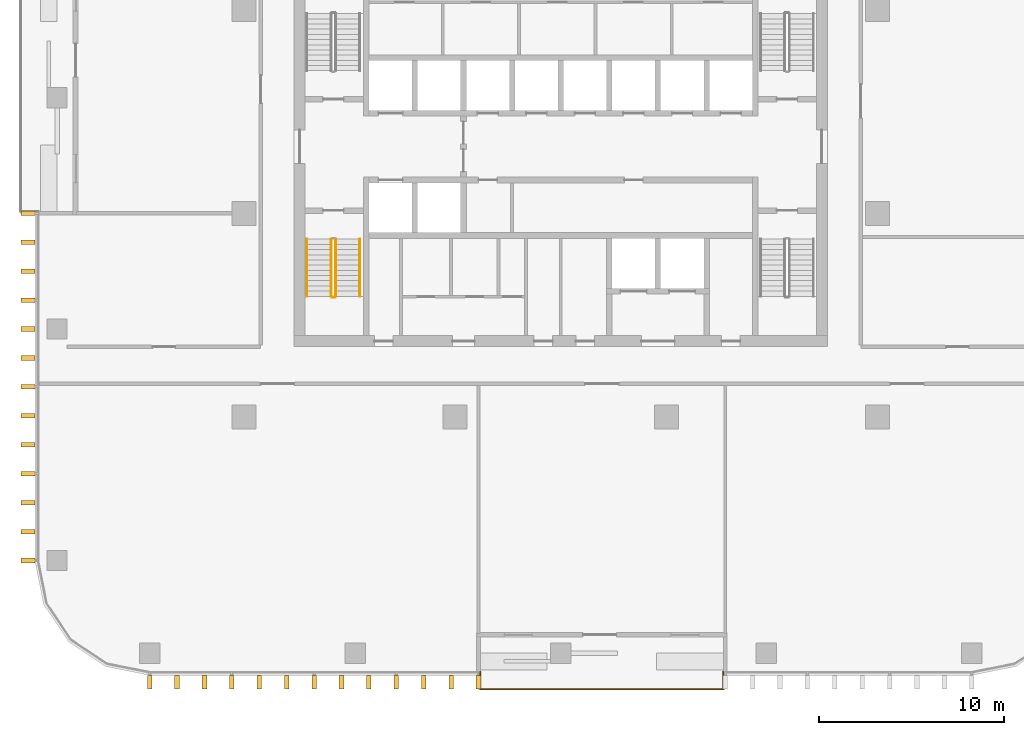
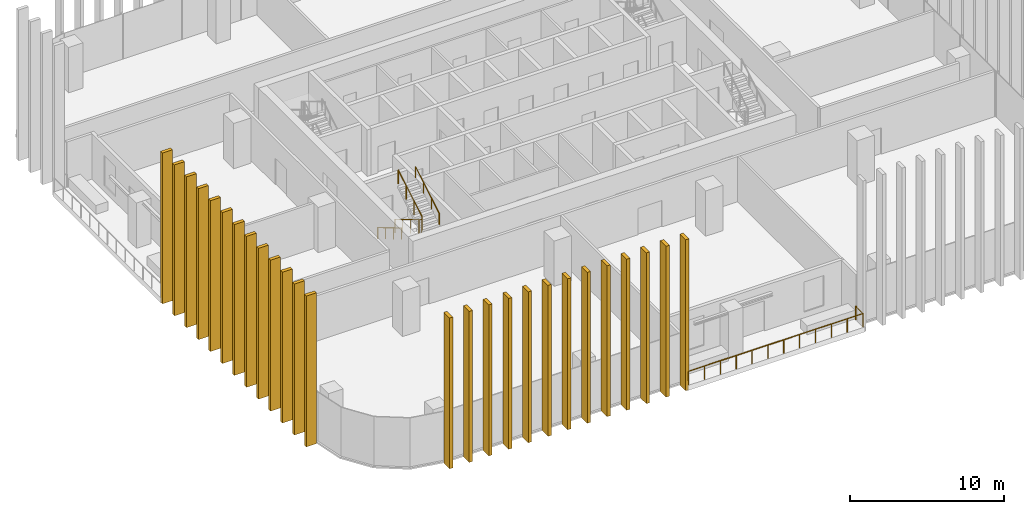
# One storey, part 11 of 16: 26 shading devices, 5 railings.
"""IFC4 building model written with IfcOpenShell, lengths in metres."""

from ifc_helpers import new_model, si_unit, direction, frame, origin, origin_2d, place, context, subcontext, project, spatial, rectangle, circle, extrude, material, type_object, element, save


model = new_model("IFC4")

# Units and contexts
model_context = context("Model", 3, precision=1e-05, world=origin(), true_north=direction((0.0, 1.0)))
body_context = subcontext(model_context, "Body", "Model", "MODEL_VIEW")
ifc_project = project(units=[si_unit("LENGTHUNIT", "METRE"), si_unit("AREAUNIT", "SQUARE_METRE"), si_unit("VOLUMEUNIT", "CUBIC_METRE"), si_unit("PLANEANGLEUNIT", "RADIAN"), si_unit("MASSUNIT", "GRAM", prefix="KILO")], contexts=[model_context])

# Site, building, storey
site_placement = place(None, origin())
site = spatial("IfcSite", under=ifc_project, at=site_placement, CompositionType="ELEMENT")
building_placement = place(site_placement, origin())
building = spatial("IfcBuilding", under=site, at=building_placement, Name="Mopane Tessera Tower", CompositionType="ELEMENT")
storey_placement = place(building_placement, frame((0.0, 0.0, 235.0)))
storey = spatial("IfcBuildingStorey", under=building, at=storey_placement, Name="L50", CompositionType="ELEMENT", Elevation=235.0)

# Shading devices
ifc_material_1 = material(Name="Glazed ceramic tile")
shading_device_type = type_object("IfcShadingDeviceType", Name="Ceramic tile fin 750 x 250 mm", PredefinedType="USERDEFINED", material=ifc_material_1)
for number, where, z_axis, x_axis, name in (
    (1, (-22.199951171875, -25.324951171875, -0.39990234375), (0.0, 0.0, 1.0), (1.0, 0.0, 0.0), "e:fin:L50:S:0:0"),
    (2, (-20.719970703125, -25.324951171875, -0.39990234375), (0.0, 0.0, 1.0), (1.0, 0.0, 0.0), "e:fin:L50:S:0:1"),
    (3, (-19.239990234375, -25.324951171875, -0.39990234375), (0.0, 0.0, 1.0), (1.0, 0.0, 0.0), "e:fin:L50:S:0:2"),
    (4, (-17.760009765625, -25.324951171875, -0.39990234375), (0.0, 0.0, 1.0), (1.0, 0.0, 0.0), "e:fin:L50:S:1:0"),
    (5, (-16.280029296875, -25.324951171875, -0.39990234375), (0.0, 0.0, 1.0), (1.0, 0.0, 0.0), "e:fin:L50:S:1:1"),
    (6, (-14.800048828125, -25.324951171875, -0.39990234375), (0.0, 0.0, 1.0), (1.0, 0.0, 0.0), "e:fin:L50:S:1:2"),
    (7, (-13.320068359375, -25.324951171875, -0.39990234375), (0.0, 0.0, 1.0), (1.0, 0.0, 0.0), "e:fin:L50:S:2:0"),
    (8, (-11.840087890625, -25.324951171875, -0.39990234375), (0.0, 0.0, 1.0), (1.0, 0.0, 0.0), "e:fin:L50:S:2:1"),
    (9, (-10.360107421875, -25.324951171875, -0.39990234375), (0.0, 0.0, 1.0), (1.0, 0.0, 0.0), "e:fin:L50:S:2:2"),
    (10, (-8.8798828125, -25.324951171875, -0.39990234375), (0.0, 0.0, 1.0), (1.0, 0.0, 0.0), "e:fin:L50:S:3:0"),
    (11, (-7.39990234375, -25.324951171875, -0.39990234375), (0.0, 0.0, 1.0), (1.0, 0.0, 0.0), "e:fin:L50:S:3:1"),
    (12, (-5.919921875, -25.324951171875, -0.39990234375), (0.0, 0.0, 1.0), (1.0, 0.0, 0.0), "e:fin:L50:S:3:2"),
    (13, (-4.43994140625, -25.324951171875, -0.39990234375), (0.0, 0.0, 1.0), (1.0, 0.0, 0.0), "e:fin:L50:S:3:3"),
    (14, (-28.77490234375, 0.0, -0.39990234375), (0.0, 0.0, 1.0), (0.0, -1.0, 0.0), "e:fin:L50:W:4:0"),
    (15, (-28.77490234375, -1.5625, -0.39990234375), (0.0, 0.0, 1.0), (0.0, -1.0, 0.0), "e:fin:L50:W:4:1"),
    (16, (-28.77490234375, -3.125, -0.39990234375), (0.0, 0.0, 1.0), (0.0, -1.0, 0.0), "e:fin:L50:W:4:2"),
    (17, (-28.77490234375, -4.6875, -0.39990234375), (0.0, 0.0, 1.0), (0.0, -1.0, 0.0), "e:fin:L50:W:5:0"),
    (18, (-28.77490234375, -6.25, -0.39990234375), (0.0, 0.0, 1.0), (0.0, -1.0, 0.0), "e:fin:L50:W:5:1"),
    (19, (-28.77490234375, -7.8125, -0.39990234375), (0.0, 0.0, 1.0), (0.0, -1.0, 0.0), "e:fin:L50:W:5:2"),
    (20, (-28.77490234375, -9.375, -0.39990234375), (0.0, 0.0, 1.0), (0.0, -1.0, 0.0), "e:fin:L50:W:6:0"),
    (21, (-28.77490234375, -10.9375, -0.39990234375), (0.0, 0.0, 1.0), (0.0, -1.0, 0.0), "e:fin:L50:W:6:1"),
    (22, (-28.77490234375, -12.5, -0.39990234375), (0.0, 0.0, 1.0), (0.0, -1.0, 0.0), "e:fin:L50:W:6:2"),
    (23, (-28.77490234375, -14.0625, -0.39990234375), (0.0, 0.0, 1.0), (0.0, -1.0, 0.0), "e:fin:L50:W:7:0"),
    (24, (-28.77490234375, -15.625, -0.39990234375), (0.0, 0.0, 1.0), (0.0, -1.0, 0.0), "e:fin:L50:W:7:1"),
    (25, (-28.77490234375, -17.1875, -0.39990234375), (0.0, 0.0, 1.0), (0.0, -1.0, 0.0), "e:fin:L50:W:7:2"),
    (26, (-28.77490234375, -18.75, -0.39990234375), (0.0, 0.0, 1.0), (0.0, -1.0, 0.0), "e:fin:L50:W:7:3"),
):
    element("IfcShadingDevice", number, at=place(storey_placement, frame(where, z_axis=z_axis, x_axis=x_axis)), inside=storey, type_object=shading_device_type, Name=name, ObjectType="FIN", PredefinedType="USERDEFINED", context=body_context, shape_type="SweptSolid", body=[
        extrude(rectangle(XDim=0.25, YDim=0.75, at=origin_2d()), origin(), (0.0, 0.0, 1.0), 12.0),
    ])

# Railings
ifc_material_2 = material(Name="Powder-coated steel balustrade", Category="steel")
railing_type_1 = type_object("IfcRailingType", Name="Escape stair guard 1100 mm", PredefinedType="GUARDRAIL", material=ifc_material_2)
railing_1_placement = place(storey_placement, frame((-12.39990234375, -1.39990234375, 0.166748046875)))
element("IfcRailing", 27, at=railing_1_placement, inside=storey, type_object=railing_type_1, Name="L50 ST1 stair guard 1", PredefinedType="GUARDRAIL", context=body_context, shape_type="SweptSolid", body=[
    extrude(circle(Radius=0.02392578125, at=origin_2d()), frame((0.0, 0.0, 1.076171875), z_axis=(0.0, -0.859308565015, 0.511457515432), x_axis=(1.0, 0.0, 0.0)), (0.0, 0.0, 1.0), 3.58447265625),
    extrude(circle(Radius=0.02392578125, at=origin_2d()), frame((0.0, -3.080078125, 2.9091796875), z_axis=(0.705375805398, -0.708833529934, 0.0), x_axis=(0.708833529934, 0.705375805398, 0.0)), (0.0, 0.0, 1.0), 0.070556640625),
    extrude(circle(Radius=0.02392578125, at=origin_2d()), frame((0.0498046875, -3.130126953125, 2.9091796875), z_axis=(1.0, 0.0, 0.0), x_axis=(0.0, 1.0, 0.0)), (0.0, 0.0, 1.0), 0.150146484375),
    extrude(circle(Radius=0.02099609375, at=origin_2d()), origin(), (0.0, 0.0, 1.0), 1.052001953125),
    extrude(circle(Radius=0.02099609375, at=origin_2d()), frame((0.0, -1.026611328125, 0.611083984375)), (0.0, 0.0, 1.0), 1.052001953125),
    extrude(circle(Radius=0.02099609375, at=origin_2d()), frame((0.0, -2.053466796875, 1.22216796875)), (0.0, 0.0, 1.0), 1.052001953125),
    extrude(circle(Radius=0.02099609375, at=origin_2d()), frame((0.0, -3.080078125, 1.833251953125)), (0.0, 0.0, 1.0), 1.052001953125),
    extrude(circle(Radius=0.02099609375, at=origin_2d()), frame((0.0498046875, -3.130126953125, 1.833251953125)), (0.0, 0.0, 1.0), 1.052001953125),
    extrude(circle(Radius=0.02099609375, at=origin_2d()), frame((0.199951171875, -3.130126953125, 1.833251953125)), (0.0, 0.0, 1.0), 1.052001953125),
])
railing_2_placement = place(storey_placement, frame((-12.14990234375, -4.47998046875, 2.166748046875)))
element("IfcRailing", 28, at=railing_2_placement, inside=storey, type_object=railing_type_1, Name="L50 ST1 stair guard 2", PredefinedType="GUARDRAIL", context=body_context, shape_type="SweptSolid", body=[
    extrude(circle(Radius=0.02392578125, at=origin_2d()), frame((0.0, 0.0, 1.076171875), z_axis=(0.0, 0.859308565015, 0.511457515432), x_axis=(-1.0, 0.0, 0.0)), (0.0, 0.0, 1.0), 3.58447265625),
    extrude(circle(Radius=0.02099609375, at=origin_2d()), origin(), (0.0, 0.0, 1.0), 1.052001953125),
    extrude(circle(Radius=0.02099609375, at=origin_2d()), frame((0.0, 1.026611328125, 0.611083984375)), (0.0, 0.0, 1.0), 1.052001953125),
    extrude(circle(Radius=0.02099609375, at=origin_2d()), frame((0.0, 2.053466796875, 1.22216796875)), (0.0, 0.0, 1.0), 1.052001953125),
    extrude(circle(Radius=0.02099609375, at=origin_2d()), frame((0.0, 3.080078125, 1.833251953125)), (0.0, 0.0, 1.0), 1.052001953125),
])
ifc_material_3 = material(Name="Powder-coated steel balustrade", Category="steel")
railing_type_2 = type_object("IfcRailingType", Name="Escape stair handrail 900 mm", PredefinedType="HANDRAIL", material=ifc_material_3)
railing_3_placement = place(storey_placement, frame((-13.699951171875, -1.39990234375, 0.166748046875)))
element("IfcRailing", 29, at=railing_3_placement, inside=storey, type_object=railing_type_2, Name="L50 ST1 stair handrail 1", PredefinedType="HANDRAIL", context=body_context, shape_type="SweptSolid", body=[
    extrude(circle(Radius=0.02392578125, at=origin_2d()), frame((0.0, 0.0, 0.8759765625), z_axis=(0.0, -0.859308565015, 0.511457515432), x_axis=(1.0, 0.0, 0.0)), (0.0, 0.0, 1.0), 3.58447265625),
    extrude(circle(Radius=0.02099609375, at=origin_2d()), origin(), (0.0, 0.0, 1.0), 0.851806640625),
    extrude(circle(Radius=0.02099609375, at=origin_2d()), frame((0.0, -1.026611328125, 0.611083984375)), (0.0, 0.0, 1.0), 0.851806640625),
    extrude(circle(Radius=0.02099609375, at=origin_2d()), frame((0.0, -2.053466796875, 1.22216796875)), (0.0, 0.0, 1.0), 0.851806640625),
    extrude(circle(Radius=0.02099609375, at=origin_2d()), frame((0.0, -3.080078125, 1.833251953125)), (0.0, 0.0, 1.0), 0.851806640625),
])
railing_4_placement = place(storey_placement, frame((-10.85009765625, -4.47998046875, 2.166748046875)))
element("IfcRailing", 30, at=railing_4_placement, inside=storey, type_object=railing_type_2, Name="L50 ST1 stair handrail 2", PredefinedType="HANDRAIL", context=body_context, shape_type="SweptSolid", body=[
    extrude(circle(Radius=0.02392578125, at=origin_2d()), frame((0.0, 0.0, 0.8759765625), z_axis=(0.0, 0.859308565015, 0.511457515432), x_axis=(-1.0, 0.0, 0.0)), (0.0, 0.0, 1.0), 3.58447265625),
    extrude(circle(Radius=0.02099609375, at=origin_2d()), origin(), (0.0, 0.0, 1.0), 0.851806640625),
    extrude(circle(Radius=0.02099609375, at=origin_2d()), frame((0.0, 1.026611328125, 0.611083984375)), (0.0, 0.0, 1.0), 0.851806640625),
    extrude(circle(Radius=0.02099609375, at=origin_2d()), frame((0.0, 2.053466796875, 1.22216796875)), (0.0, 0.0, 1.0), 0.851806640625),
    extrude(circle(Radius=0.02099609375, at=origin_2d()), frame((0.0, 3.080078125, 1.833251953125)), (0.0, 0.0, 1.0), 0.851806640625),
])
ifc_material_4 = material(Name="Stainless steel S316", Category="steel")
railing_type_3 = type_object("IfcRailingType", Name="Terrace guard 1100", PredefinedType="GUARDRAIL", material=ifc_material_4)
railing_5_placement = place(storey_placement, frame((-4.340087890625, -24.75, 0.0)))
element("IfcRailing", 31, at=railing_5_placement, inside=storey, type_object=railing_type_3, Name="e:nw:L50:N1:guard", PredefinedType="GUARDRAIL", context=body_context, shape_type="SweptSolid", body=[
    extrude(circle(Radius=0.02392578125, at=origin_2d()), frame((0.0, 0.0, 1.076171875), z_axis=(0.0, -1.0, 0.0), x_axis=(1.0, 0.0, 0.0)), (0.0, 0.0, 1.0), 0.949951171875),
    extrude(circle(Radius=0.02392578125, at=origin_2d()), frame((0.0, -0.949951171875, 1.076171875), z_axis=(1.0, 0.0, 0.0), x_axis=(0.0, 1.0, 0.0)), (0.0, 0.0, 1.0), 13.1201171875),
    extrude(circle(Radius=0.02392578125, at=origin_2d()), frame((13.1201171875, -0.949951171875, 1.076171875), z_axis=(0.0, 1.0, 0.0), x_axis=(-1.0, 0.0, 0.0)), (0.0, 0.0, 1.0), 0.949951171875),
    extrude(circle(Radius=0.02099609375, at=origin_2d()), origin(), (0.0, 0.0, 1.0), 1.052001953125),
    extrude(circle(Radius=0.02099609375, at=origin_2d()), frame((0.0, -0.949951171875, 0.0)), (0.0, 0.0, 1.0), 1.052001953125),
    extrude(circle(Radius=0.02099609375, at=origin_2d()), frame((1.192626953125, -0.949951171875, 0.0)), (0.0, 0.0, 1.0), 1.052001953125),
    extrude(circle(Radius=0.02099609375, at=origin_2d()), frame((2.385498046875, -0.949951171875, 0.0)), (0.0, 0.0, 1.0), 1.052001953125),
    extrude(circle(Radius=0.02099609375, at=origin_2d()), frame((3.578125, -0.949951171875, 0.0)), (0.0, 0.0, 1.0), 1.052001953125),
    extrude(circle(Radius=0.02099609375, at=origin_2d()), frame((4.77099609375, -0.949951171875, 0.0)), (0.0, 0.0, 1.0), 1.052001953125),
    extrude(circle(Radius=0.02099609375, at=origin_2d()), frame((5.963623046875, -0.949951171875, 0.0)), (0.0, 0.0, 1.0), 1.052001953125),
    extrude(circle(Radius=0.02099609375, at=origin_2d()), frame((7.156494140625, -0.949951171875, 0.0)), (0.0, 0.0, 1.0), 1.052001953125),
    extrude(circle(Radius=0.02099609375, at=origin_2d()), frame((8.34912109375, -0.949951171875, 0.0)), (0.0, 0.0, 1.0), 1.052001953125),
    extrude(circle(Radius=0.02099609375, at=origin_2d()), frame((9.5419921875, -0.949951171875, 0.0)), (0.0, 0.0, 1.0), 1.052001953125),
    extrude(circle(Radius=0.02099609375, at=origin_2d()), frame((10.734619140625, -0.949951171875, 0.0)), (0.0, 0.0, 1.0), 1.052001953125),
    extrude(circle(Radius=0.02099609375, at=origin_2d()), frame((11.927490234375, -0.949951171875, 0.0)), (0.0, 0.0, 1.0), 1.052001953125),
    extrude(circle(Radius=0.02099609375, at=origin_2d()), frame((13.1201171875, -0.949951171875, 0.0)), (0.0, 0.0, 1.0), 1.052001953125),
    extrude(circle(Radius=0.02099609375, at=origin_2d()), frame((13.1201171875, 0.0, 0.0)), (0.0, 0.0, 1.0), 1.052001953125),
])

save(model, "model.ifc")
